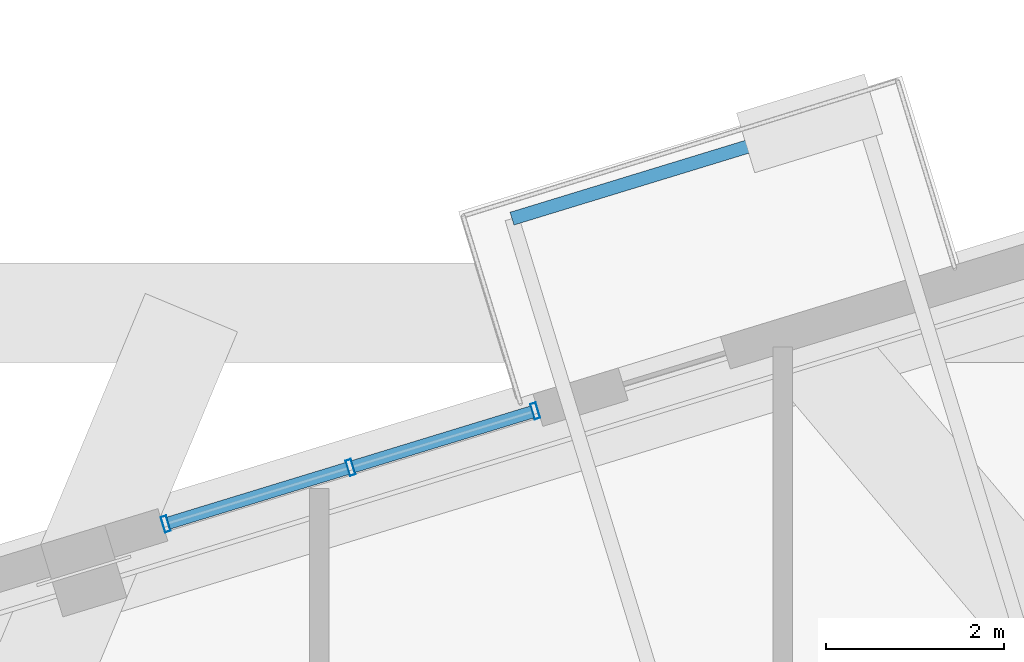
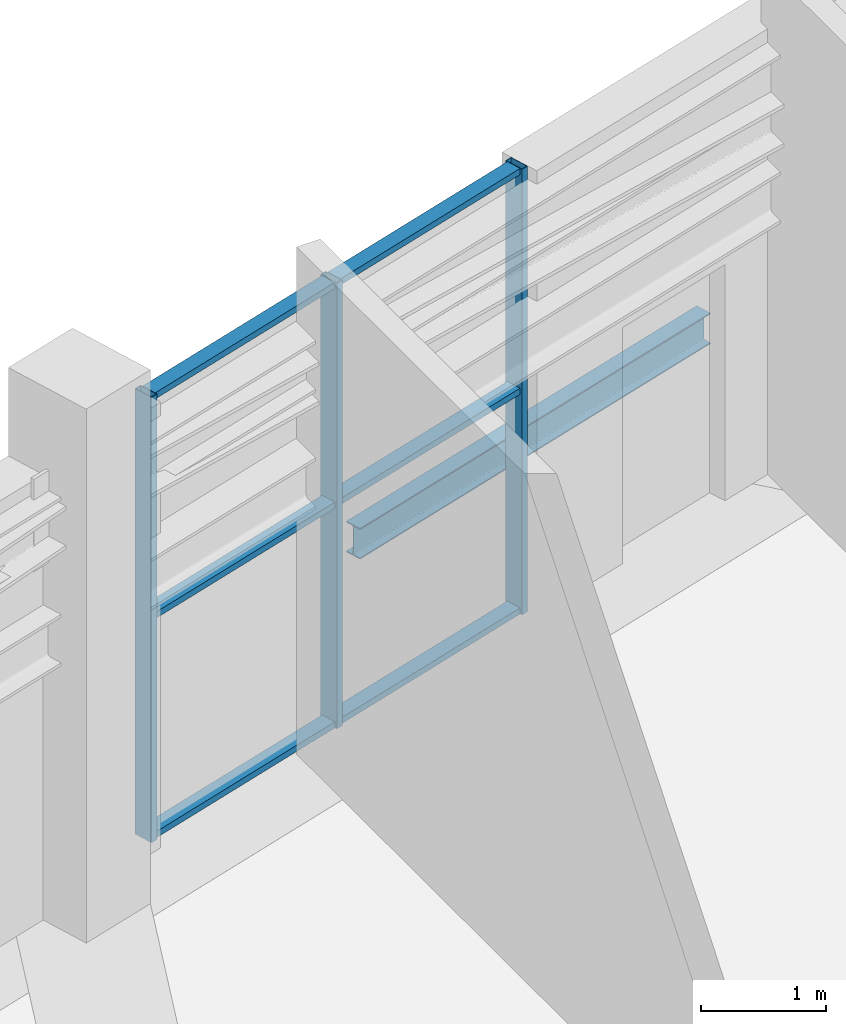
# One storey, part 8 of 22: 9 members, 1 beam, 1 element without a shape of its own.
"""IFC4 building model written with IfcOpenShell, lengths in metres."""

import ifcopenshell
import ifcopenshell.guid

model = None  # the IFC model being written
_history = None  # IfcOwnerHistory: only IFC2X3 demands one
_inside = {}  # id of a spatial element -> (the spatial element, [elements in it])
_under = {}  # id of a project, library or spatial element -> (it, [spatial elements below it])
_declared = {}  # id of a project -> (the project, [libraries it declares])
_typed = {}  # id of a type object -> (the type object, [elements of that type])
_made_of = {}  # id of a material, layer set ... -> (it, [elements and type objects made of it])


def new_model(schema):
    """Start an empty IFC model of exactly this schema.

    Asked for "IFC4X3", IfcOpenShell would pick the latest addendum, in which some entities
    have other attributes; the version numbers below select the first issue.
    IFC2X3 requires an IfcOwnerHistory on every rooted entity: one is made here for all.
    """
    global model, _history
    if schema == "IFC4X3":
        model = ifcopenshell.file(schema_version=(4, 3, 0, 0))
    else:
        model = ifcopenshell.file(schema=schema)
    _inside.clear()
    _under.clear()
    _declared.clear()
    _typed.clear()
    _made_of.clear()
    _history = None
    if model.schema == "IFC2X3":
        org = make("IfcOrganization", Name="unknown")
        user = make(
            "IfcPersonAndOrganization",
            ThePerson=make("IfcPerson", FamilyName="unknown"),
            TheOrganization=org,
        )
        app = make(
            "IfcApplication",
            ApplicationDeveloper=org,
            Version="unknown",
            ApplicationFullName="unknown",
            ApplicationIdentifier="unknown",
        )
        _history = make(
            "IfcOwnerHistory",
            OwningUser=user,
            OwningApplication=app,
            ChangeAction="ADDED",
            CreationDate=0,
        )
    return model


def make(cls, **values):
    """One entity of the class cls with the attributes given. An attribute that is None is left unset."""
    return model.create_entity(
        cls, **{name: value for name, value in values.items() if value is not None}
    )


def rooted(cls, **values):
    """An entity with a GlobalId (a new one), such as an element, a storey or a relation."""
    return make(cls, GlobalId=ifcopenshell.guid.new(), OwnerHistory=_history, **values)


def si_unit(unit_type, name, prefix=None):
    """IfcSIUnit, for example si_unit("LENGTHUNIT", "METRE", prefix="MILLI")."""
    return make("IfcSIUnit", UnitType=unit_type, Prefix=prefix, Name=name)


def assignment(units):
    """IfcUnitAssignment: the units of a project."""
    return None if units is None else make("IfcUnitAssignment", Units=units)


def point(xyz):
    """IfcCartesianPoint."""
    return None if xyz is None else make("IfcCartesianPoint", Coordinates=xyz)


def direction(xyz):
    """IfcDirection."""
    return None if xyz is None else make("IfcDirection", DirectionRatios=xyz)


def frame(location, z_axis=None, x_axis=None):
    """IfcAxis2Placement3D, a coordinate frame: its origin and axes. An axis left out is left unset."""
    return make(
        "IfcAxis2Placement3D",
        Location=point(location),
        Axis=direction(z_axis),
        RefDirection=direction(x_axis),
    )


def frame_2d(location, x_axis=None):
    """IfcAxis2Placement2D, a coordinate frame in the plane: its origin and x axis."""
    return make(
        "IfcAxis2Placement2D", Location=point(location), RefDirection=direction(x_axis)
    )


def origin():
    """The frame at (0, 0, 0) with its axes left unset."""
    return frame((0.0, 0.0, 0.0))


def origin_2d():
    """The frame at (0, 0) in the plane with its x axis left unset."""
    return frame_2d((0.0, 0.0))


def place(relative_to, where):
    """IfcLocalPlacement: puts the frame where relative to a parent placement (None: the world)."""
    return make(
        "IfcLocalPlacement", PlacementRelTo=relative_to, RelativePlacement=where
    )


def context(
    kind, dimensions, precision=None, world=None, true_north=None, identifier=None
):
    """IfcGeometricRepresentationContext, for example the 3D "Model" context."""
    return make(
        "IfcGeometricRepresentationContext",
        ContextIdentifier=identifier,
        ContextType=kind,
        CoordinateSpaceDimension=dimensions,
        Precision=precision,
        WorldCoordinateSystem=world,
        TrueNorth=true_north,
    )


def subcontext(parent, identifier, kind, view, scale=None):
    """IfcGeometricRepresentationSubContext, for example "Body" below "Model"."""
    return make(
        "IfcGeometricRepresentationSubContext",
        ContextIdentifier=identifier,
        ContextType=kind,
        ParentContext=parent,
        TargetScale=scale,
        TargetView=view,
    )


def project(units=None, contexts=None):
    """IfcProject with its units and contexts."""
    return rooted(
        "IfcProject",
        Name="project",
        RepresentationContexts=contexts,
        UnitsInContext=assignment(units),
    )


def spatial(cls, under=None, at=None, **own):
    """A site, building, storey or space (cls), placed at a placement, below another one or the project."""
    s = rooted(cls, ObjectPlacement=at, **own)
    if under is not None:
        _under.setdefault(under.id(), (under, []))[1].append(s)
    return s


def profile(cls, at=None, kind="AREA", **sizes):
    """A parametric profile (cls). Its sizes go by their IFC names, for example OverallWidth=200.0."""
    return make(cls, ProfileType=kind, Position=at, **sizes)


def hollow_rectangle(**sizes):
    """IfcRectangleHollowProfileDef."""
    return profile("IfcRectangleHollowProfileDef", **sizes)


def i_section(**sizes):
    """IfcIShapeProfileDef."""
    return profile("IfcIShapeProfileDef", **sizes)


def extrude(swept, where, along, depth):
    """IfcExtrudedAreaSolid: the profile swept, set in the frame where, extruded along a direction by depth."""
    return make(
        "IfcExtrudedAreaSolid",
        SweptArea=swept,
        Position=where,
        ExtrudedDirection=direction(along),
        Depth=depth,
    )


def shape(context_of_items, identifier, shape_type, items):
    """IfcShapeRepresentation: the items that make up one representation, for example the "Body"."""
    return make(
        "IfcShapeRepresentation",
        ContextOfItems=context_of_items,
        RepresentationIdentifier=identifier,
        RepresentationType=shape_type,
        Items=items,
    )


def source(mapping_origin, context_of_items, identifier, shape_type, items):
    """IfcRepresentationMap: a shape defined once, which mapped items show again and again."""
    return make(
        "IfcRepresentationMap",
        MappingOrigin=mapping_origin,
        MappedRepresentation=shape(context_of_items, identifier, shape_type, items),
    )


def transform(
    local_origin,
    x_axis=None,
    y_axis=None,
    z_axis=None,
    scale=None,
    scale2=None,
    scale3=None,
    uniform=True,
):
    """IfcCartesianTransformationOperator3D, or its non-uniform kind. x_axis, y_axis, z_axis: its Axis1, 2, 3."""
    if uniform:
        return make(
            "IfcCartesianTransformationOperator3D",
            Axis1=direction(x_axis),
            Axis2=direction(y_axis),
            LocalOrigin=point(local_origin),
            Scale=scale,
            Axis3=direction(z_axis),
        )
    return make(
        "IfcCartesianTransformationOperator3DnonUniform",
        Axis1=direction(x_axis),
        Axis2=direction(y_axis),
        LocalOrigin=point(local_origin),
        Scale=scale,
        Axis3=direction(z_axis),
        Scale2=scale2,
        Scale3=scale3,
    )


def mapped(mapping_source, mapping_target):
    """IfcMappedItem: shows the shape of a source again, moved by a transform."""
    return make(
        "IfcMappedItem", MappingSource=mapping_source, MappingTarget=mapping_target
    )


def material(Name=None, Category=None):
    """IfcMaterial."""
    return make("IfcMaterial", Name=Name, Category=Category)


def layer(
    of_material, thickness, ventilated=None, Name=None, Category=None, Priority=None
):
    """IfcMaterialLayer: one layer of a wall or slab, of a material (None: an air gap)."""
    return make(
        "IfcMaterialLayer",
        Material=of_material,
        LayerThickness=thickness,
        IsVentilated=ventilated,
        Name=Name,
        Category=Category,
        Priority=Priority,
    )


def layer_set(layers, Name=None):
    """IfcMaterialLayerSet."""
    return make("IfcMaterialLayerSet", MaterialLayers=layers, LayerSetName=Name)


def material_profile(
    of_material, cross_section, Name=None, Category=None, Priority=None
):
    """IfcMaterialProfile: a cross section and its material."""
    return make(
        "IfcMaterialProfile",
        Name=Name,
        Material=of_material,
        Profile=cross_section,
        Priority=Priority,
        Category=Category,
    )


def profile_set(profiles, Name=None, composite=None):
    """IfcMaterialProfileSet."""
    return make(
        "IfcMaterialProfileSet",
        Name=Name,
        MaterialProfiles=profiles,
        CompositeProfile=composite,
    )


def made_of(thing, what):
    """Note that an element or type object is made of a material, layer set ...; save() writes the relation."""
    if what is not None:
        _made_of.setdefault(what.id(), (what, []))[1].append(thing)
    return thing


def type_object(cls, material=None, **own):
    """A type object (cls), such as IfcWallType, which elements share."""
    return made_of(rooted(cls, **own), material)


def element(
    cls,
    number,
    at=None,
    inside=None,
    cuts=None,
    type_object=None,
    material=None,
    context=None,
    identifier="Body",
    shape_type=None,
    held_by="IfcProductDefinitionShape",
    body=None,
    shapes=None,
    **own,
):
    """One element of the class cls, such as IfcWall. Its Tag is "e" and its number.

    at: its placement. inside: the storey or other place that contains it. cuts: it is an
    opening in that element (IfcRelVoidsElement). A single representation is given by context,
    identifier, shape_type and body (its items); several are given by shapes. held_by: the class
    of the entity that holds the representations. save() writes the other relations.
    """
    e = rooted(cls, Tag="e%d" % number, ObjectPlacement=at, **own)
    if body is not None:
        shapes = [shape(context, identifier, shape_type, body)]
    if shapes is not None:
        e.Representation = make(held_by, Representations=shapes)
    if inside is not None:
        _inside.setdefault(inside.id(), (inside, []))[1].append(e)
    if cuts is not None:
        rooted(
            "IfcRelVoidsElement", RelatingBuildingElement=cuts, RelatedOpeningElement=e
        )
    if type_object is not None:
        _typed.setdefault(type_object.id(), (type_object, []))[1].append(e)
    return made_of(e, material)


def aggregate(whole, parts):
    """IfcRelAggregates: a whole, such as a stair, and the parts it consists of."""
    return rooted("IfcRelAggregates", RelatingObject=whole, RelatedObjects=parts)


def save(model, path):
    """Write the relations noted so far, then the file.

    IfcRelAggregates (storeys below a building ...), IfcRelContainedInSpatialStructure (elements
    in a storey), IfcRelDefinesByType, IfcRelAssociatesMaterial and IfcRelDeclares: one each for
    every whole, place, type object, material and project.
    """
    for whole, parts in _under.values():
        aggregate(whole, parts)
    for where, things in _inside.values():
        rooted(
            "IfcRelContainedInSpatialStructure",
            RelatedElements=things,
            RelatingStructure=where,
        )
    for kind, things in _typed.values():
        rooted("IfcRelDefinesByType", RelatedObjects=things, RelatingType=kind)
    for what, things in _made_of.values():
        rooted("IfcRelAssociatesMaterial", RelatedObjects=things, RelatingMaterial=what)
    for by, libraries in _declared.values():
        rooted("IfcRelDeclares", RelatingContext=by, RelatedDefinitions=libraries)
    model.write(path)


model = new_model("IFC4")

# Units and contexts
model_context = context("Model", 3, precision=1e-05, world=origin(), true_north=direction((0.0, 1.0)))
body_context = subcontext(model_context, "Body", "Model", "MODEL_VIEW")
ifc_project = project(units=[si_unit("LENGTHUNIT", "METRE"), si_unit("AREAUNIT", "SQUARE_METRE"), si_unit("VOLUMEUNIT", "CUBIC_METRE"), si_unit("PLANEANGLEUNIT", "RADIAN"), si_unit("MASSUNIT", "GRAM", prefix="KILO"), si_unit("THERMODYNAMICTEMPERATUREUNIT", "KELVIN")], contexts=[model_context])

# Site, building, storey
site_placement = place(None, origin())
site = spatial("IfcSite", under=ifc_project, at=site_placement, CompositionType="ELEMENT")
building_placement = place(site_placement, origin())
building = spatial("IfcBuilding", under=site, at=building_placement, Name="Kosmvard Interchange Tower", CompositionType="ELEMENT")
storey_placement = place(building_placement, frame((0.0, 0.0, 78.0)))
storey = spatial("IfcBuildingStorey", under=building, at=storey_placement, Name="L18", CompositionType="ELEMENT", Elevation=78.0)

# Beam
ifc_material_1 = material(Name="Steel S355", Category="steel")
ifc_material_profile_1 = material_profile(ifc_material_1, i_section(OverallWidth=0.14990234375, OverallDepth=0.300048828125, WebThickness=0.007080078125, FlangeThickness=0.0107421875, FilletRadius=0.014892578125, at=origin_2d()), Name="IPE 300")
ifc_profile_set_1 = profile_set([ifc_material_profile_1], Name="Steel S355")
beam_type = type_object("IfcBeamType", Name="Balcony Edge Header Joist IPE 300 S355", PredefinedType="JOIST", material=ifc_profile_set_1)
shared_shape_1 = source(origin(), body_context, "Body", "SweptSolid", [
    extrude(i_section(OverallWidth=0.14990234375, OverallDepth=0.300048828125, WebThickness=0.007080078125, FlangeThickness=0.0107421875, FilletRadius=0.014892578125, at=origin_2d()), origin(), (0.0, 0.0, 1.0), 4.10009765625),
])
beam_placement = place(storey_placement, frame((0.88232421875, 30.803955078125, -0.550048828125), z_axis=(-0.956305334411, -0.2923698127, 0.0), x_axis=(0.2923698127, -0.956305334411, 0.0)))
element("IfcBeam", 1, at=beam_placement, inside=storey, type_object=beam_type, Name="BM-L18-BJH1", PredefinedType="JOIST", context=body_context, shape_type="MappedRepresentation", body=[
    mapped(shared_shape_1, transform((0.0, 0.0, 0.0), scale=1.0)),
])

# Curtain wall, members
ifc_material_2 = material(Name="Architectural anodised aluminium", Category="aluminium")
ifc_layer = layer(ifc_material_2, 0.179931640625, Name="Architectural anodised aluminium")
ifc_layer_set = layer_set([ifc_layer], Name="Architectural anodised aluminium")
curtain_wall_type = type_object("IfcCurtainWallType", Name="CW-3 Sky-Garden Vestibule Curtain Wall", PredefinedType="NOTDEFINED", material=ifc_layer_set)
curtain_wall_placement = place(storey_placement, origin())
curtain_wall = element("IfcCurtainWall", 2, at=curtain_wall_placement, inside=storey, type_object=curtain_wall_type, Name="L18 Sky-Garden Curtain Wall N", PredefinedType="NOTDEFINED")
ifc_material_profile_2 = material_profile(ifc_material_2, hollow_rectangle(XDim=0.179931640625, YDim=0.06494140625, WallThickness=0.00390625, at=origin_2d()), Name="CWM 180x65x4")
ifc_profile_set_2 = profile_set([ifc_material_profile_2], Name="Architectural anodised aluminium")
member_type_1 = type_object("IfcMemberType", Name="Sky-Garden CW Mullion 180x65 Aluminium", PredefinedType="MULLION", material=ifc_profile_set_2)
shared_shape_2 = source(origin(), body_context, "Body", "SweptSolid", [
    extrude(hollow_rectangle(XDim=0.179931640625, YDim=0.06494140625, WallThickness=0.00390625, at=origin_2d()), origin(), (0.0, 0.0, 1.0), 4.340087890625),
])
member_1_placement = place(storey_placement, frame((-2.778564453125, 27.447021484375, 0.0), z_axis=(0.0, 0.0, 1.0), x_axis=(0.292371803799, -0.956304725673, 0.0)))
member_1 = element("IfcMember", 3, at=member_1_placement, type_object=member_type_1, Name="CW-3 mullion 1", PredefinedType="MULLION", context=body_context, shape_type="MappedRepresentation", body=[
    mapped(shared_shape_2, transform((0.0, 0.0, 0.0), scale=1.0)),
])
member_2_placement = place(storey_placement, frame((-4.851318359375, 26.813232421875, 0.0), z_axis=(0.0, 0.0, 1.0), x_axis=(0.292371803799, -0.956304725673, 0.0)))
member_2 = element("IfcMember", 4, at=member_2_placement, type_object=member_type_1, Name="CW-3 mullion 2", PredefinedType="MULLION", context=body_context, shape_type="MappedRepresentation", body=[
    mapped(shared_shape_2, transform((0.0, 0.0, 0.0), scale=1.0)),
])
member_3_placement = place(storey_placement, frame((-6.924072265625, 26.179443359375, 0.0), z_axis=(0.0, 0.0, 1.0), x_axis=(0.292371803799, -0.956304725673, 0.0)))
member_3 = element("IfcMember", 5, at=member_3_placement, type_object=member_type_1, Name="CW-3 mullion 3", PredefinedType="MULLION", context=body_context, shape_type="MappedRepresentation", body=[
    mapped(shared_shape_2, transform((0.0, 0.0, 0.0), scale=1.0)),
])
ifc_material_profile_3 = material_profile(ifc_material_2, hollow_rectangle(XDim=0.139892578125, YDim=0.06005859375, WallThickness=0.00390625, at=origin_2d()), Name="CWT 140x60x4")
ifc_profile_set_3 = profile_set([ifc_material_profile_3], Name="Architectural anodised aluminium")
member_type_2 = type_object("IfcMemberType", Name="Sky-Garden CW Transom 140x60 Aluminium", PredefinedType="USERDEFINED", material=ifc_profile_set_3)
shared_shape_3 = source(origin(), body_context, "Body", "SweptSolid", [
    extrude(hollow_rectangle(XDim=0.139892578125, YDim=0.06005859375, WallThickness=0.00390625, at=origin_2d()), origin(), (0.0, 0.0, 1.0), 2.102294921875),
])
member_4_placement = place(storey_placement, frame((-2.809814453125, 27.4375, 0.030029296875), z_axis=(-0.956294760415, -0.292404396688, 0.0), x_axis=(0.292404396688, -0.956294760415, 0.0)))
member_4 = element("IfcMember", 6, at=member_4_placement, type_object=member_type_2, Name="CW-3 transom 1.1", ObjectType="TRANSOM", PredefinedType="USERDEFINED", context=body_context, shape_type="MappedRepresentation", body=[
    mapped(shared_shape_3, transform((0.0, 0.0, 0.0), scale=1.0)),
])
member_5_placement = place(storey_placement, frame((-2.809814453125, 27.4375, 2.169921875), z_axis=(-0.956294760415, -0.292404396688, 0.0), x_axis=(0.292404396688, -0.956294760415, 0.0)))
member_5 = element("IfcMember", 7, at=member_5_placement, type_object=member_type_2, Name="CW-3 transom 1.2", ObjectType="TRANSOM", PredefinedType="USERDEFINED", context=body_context, shape_type="MappedRepresentation", body=[
    mapped(shared_shape_3, transform((0.0, 0.0, 0.0), scale=1.0)),
])
member_6_placement = place(storey_placement, frame((-2.809814453125, 27.4375, 4.31005859375), z_axis=(-0.956294760415, -0.292404396688, 0.0), x_axis=(0.292404396688, -0.956294760415, 0.0)))
member_6 = element("IfcMember", 8, at=member_6_placement, type_object=member_type_2, Name="CW-3 transom 1.3", ObjectType="TRANSOM", PredefinedType="USERDEFINED", context=body_context, shape_type="MappedRepresentation", body=[
    mapped(shared_shape_3, transform((0.0, 0.0, 0.0), scale=1.0)),
])
member_7_placement = place(storey_placement, frame((-4.882568359375, 26.8037109375, 0.030029296875), z_axis=(-0.956294760415, -0.292404396688, 0.0), x_axis=(0.292404396688, -0.956294760415, 0.0)))
member_7 = element("IfcMember", 9, at=member_7_placement, type_object=member_type_2, Name="CW-3 transom 2.1", ObjectType="TRANSOM", PredefinedType="USERDEFINED", context=body_context, shape_type="MappedRepresentation", body=[
    mapped(shared_shape_3, transform((0.0, 0.0, 0.0), scale=1.0)),
])
member_8_placement = place(storey_placement, frame((-4.882568359375, 26.8037109375, 2.169921875), z_axis=(-0.956294760415, -0.292404396688, 0.0), x_axis=(0.292404396688, -0.956294760415, 0.0)))
member_8 = element("IfcMember", 10, at=member_8_placement, type_object=member_type_2, Name="CW-3 transom 2.2", ObjectType="TRANSOM", PredefinedType="USERDEFINED", context=body_context, shape_type="MappedRepresentation", body=[
    mapped(shared_shape_3, transform((0.0, 0.0, 0.0), scale=1.0)),
])
member_9_placement = place(storey_placement, frame((-4.882568359375, 26.8037109375, 4.31005859375), z_axis=(-0.956294760415, -0.292404396688, 0.0), x_axis=(0.292404396688, -0.956294760415, 0.0)))
member_9 = element("IfcMember", 11, at=member_9_placement, type_object=member_type_2, Name="CW-3 transom 2.3", ObjectType="TRANSOM", PredefinedType="USERDEFINED", context=body_context, shape_type="MappedRepresentation", body=[
    mapped(shared_shape_3, transform((0.0, 0.0, 0.0), scale=1.0)),
])
aggregate(curtain_wall, [member_1, member_2, member_3, member_4, member_5, member_6, member_7, member_8, member_9])

save(model, "model.ifc")
